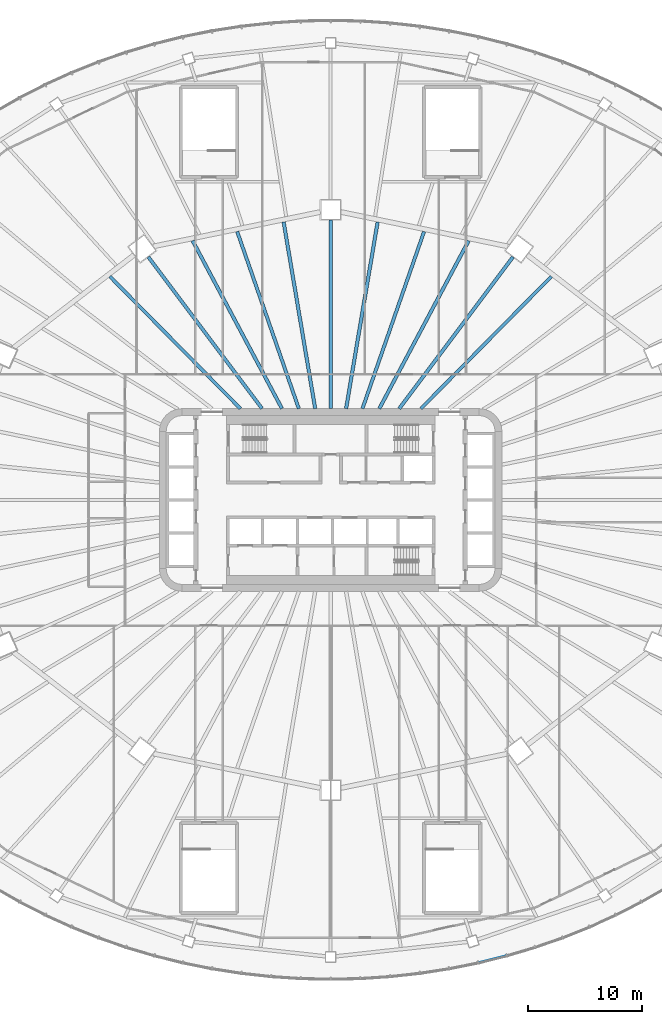
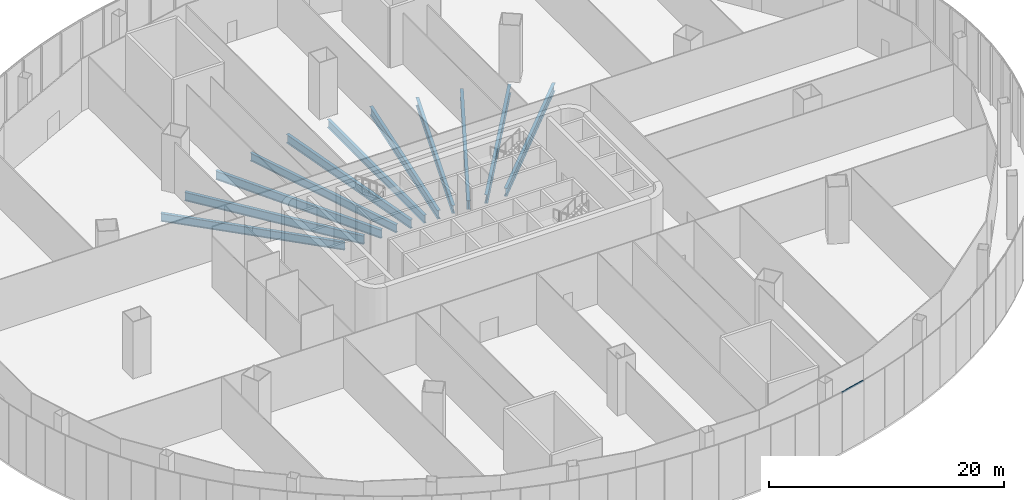
# One storey, part 8 of 33: 11 beams, 1 member, 1 element without a shape of its own.
"""IFC4 building model written with IfcOpenShell, lengths in metres."""

from ifc_helpers import new_model, si_unit, direction, frame, origin, origin_2d, place, context, subcontext, project, spatial, rectangle, i_section, extrude, material, layer, layer_set, material_profile, profile_set, type_object, element, aggregate, save


model = new_model("IFC4")

# Units and contexts
model_context = context("Model", 3, precision=1e-05, world=origin(), true_north=direction((0.0, 1.0)))
body_context = subcontext(model_context, "Body", "Model", "MODEL_VIEW")
ifc_project = project(units=[si_unit("LENGTHUNIT", "METRE"), si_unit("AREAUNIT", "SQUARE_METRE"), si_unit("VOLUMEUNIT", "CUBIC_METRE"), si_unit("PLANEANGLEUNIT", "RADIAN"), si_unit("MASSUNIT", "GRAM", prefix="KILO")], contexts=[model_context])

# Site, building, storey
site_placement = place(None, origin())
site = spatial("IfcSite", under=ifc_project, at=site_placement, CompositionType="ELEMENT")
building_placement = place(site_placement, origin())
building = spatial("IfcBuilding", under=site, at=building_placement, Name="Sahrelin Media Tower", CompositionType="ELEMENT")
storey_placement = place(building_placement, frame((0.0, 0.0, 37.39990234375)))
storey = spatial("IfcBuildingStorey", under=building, at=storey_placement, Name="L05", CompositionType="ELEMENT", Elevation=37.39990234375)

# Beams
ifc_material_1 = material(Name="Steel S355", Category="steel")
ifc_material_profile_1 = material_profile(ifc_material_1, i_section(OverallWidth=0.291748046875, OverallDepth=0.8349609375, WebThickness=0.013916015625, FlangeThickness=0.018798828125, FilletRadius=0.017822265625, at=origin_2d()), Name="UB 838x292x176")
ifc_profile_set_1 = profile_set([ifc_material_profile_1], Name="Steel S355")
beam_type_1 = type_object("IfcBeamType", Name="Radial primary beam PB10", PredefinedType="BEAM", material=ifc_profile_set_1)
beam_1_placement = place(storey_placement, frame((2.784912109375, 8.0, -0.617431640625), z_axis=(0.328776215552, 0.944407856854, 0.0), x_axis=(-0.944407856854, 0.328776215552, 0.0)))
element("IfcBeam", 1, at=beam_1_placement, inside=storey, type_object=beam_type_1, Name="Radial beam L05-06", PredefinedType="BEAM", context=body_context, shape_type="SweptSolid", body=[
    extrude(i_section(OverallWidth=0.291748046875, OverallDepth=0.8349609375, WebThickness=0.013916015625, FlangeThickness=0.018798828125, FilletRadius=0.017822265625, at=origin_2d()), origin(), (0.0, 0.0, 1.0), 16.41162109375),
])
beam_2_placement = place(storey_placement, frame((0.0, 8.0, -0.617431640625), z_axis=(0.0, 1.0, 0.0), x_axis=(-1.0, 0.0, 0.0)))
element("IfcBeam", 2, at=beam_2_placement, inside=storey, type_object=beam_type_1, Name="Radial beam L05-07", PredefinedType="BEAM", context=body_context, shape_type="SweptSolid", body=[
    extrude(i_section(OverallWidth=0.291748046875, OverallDepth=0.8349609375, WebThickness=0.013916015625, FlangeThickness=0.018798828125, FilletRadius=0.017822265625, at=origin_2d()), origin(), (0.0, 0.0, 1.0), 16.5),
])
beam_3_placement = place(storey_placement, frame((-2.784912109375, 8.0, -0.617431640625), z_axis=(-0.328776215552, 0.944407856854, 0.0), x_axis=(-0.944407856854, -0.328776215552, 0.0)))
element("IfcBeam", 3, at=beam_3_placement, inside=storey, type_object=beam_type_1, Name="Radial beam L05-08", PredefinedType="BEAM", context=body_context, shape_type="SweptSolid", body=[
    extrude(i_section(OverallWidth=0.291748046875, OverallDepth=0.8349609375, WebThickness=0.013916015625, FlangeThickness=0.018798828125, FilletRadius=0.017822265625, at=origin_2d()), origin(), (0.0, 0.0, 1.0), 16.41162109375),
])
ifc_material_profile_2 = material_profile(ifc_material_1, i_section(OverallWidth=0.30322265625, OverallDepth=0.903076171875, WebThickness=0.01513671875, FlangeThickness=0.020263671875, FilletRadius=0.01904296875, at=origin_2d()), Name="UB 914x305x201")
ifc_profile_set_2 = profile_set([ifc_material_profile_2], Name="Steel S355")
beam_type_2 = type_object("IfcBeamType", Name="Radial primary beam PB11", PredefinedType="BEAM", material=ifc_profile_set_2)
for number, where, z_axis, x_axis, name in (
    (4, (6.000732421875, 8.0, -0.6513671875), (0.600054130443, 0.799959399306, 0.0), (-0.799959399306, 0.600054130443, 0.0), "Radial beam L05-05"),
    (5, (-6.000732421875, 8.0, -0.6513671875), (-0.600054130443, 0.799959399306, 0.0), (-0.799959399306, -0.600054130443, 0.0), "Radial beam L05-09"),
):
    element("IfcBeam", number, at=place(storey_placement, frame(where, z_axis=z_axis, x_axis=x_axis)), inside=storey, type_object=beam_type_2, Name=name, PredefinedType="BEAM", context=body_context, shape_type="SweptSolid", body=[
        extrude(i_section(OverallWidth=0.30322265625, OverallDepth=0.903076171875, WebThickness=0.01513671875, FlangeThickness=0.020263671875, FilletRadius=0.01904296875, at=origin_2d()), origin(), (0.0, 0.0, 1.0), 16.59716796875),
    ])
ifc_material_profile_3 = material_profile(ifc_material_1, i_section(OverallWidth=0.291748046875, OverallDepth=0.8349609375, WebThickness=0.013916015625, FlangeThickness=0.018798828125, FilletRadius=0.017822265625, at=origin_2d()), Name="UB 838x292x176")
ifc_profile_set_3 = profile_set([ifc_material_profile_3], Name="Steel S355")
beam_type_3 = type_object("IfcBeamType", Name="Radial secondary beam SB10", PredefinedType="BEAM", material=ifc_profile_set_3)
for number, where, z_axis, x_axis, name in (
    (6, (7.901123046875, 8.0, -0.617431640625), (0.702706329063, 0.711480017355, 0.0), (-0.711480017355, 0.702706329063, 0.0), "Secondary beam L05-04"),
    (7, (-7.901123046875, 8.0, -0.617431640625), (-0.702706329063, 0.711480017355, 0.0), (-0.711480017355, -0.702706329063, 0.0), "Secondary beam L05-09"),
):
    element("IfcBeam", number, at=place(storey_placement, frame(where, z_axis=z_axis, x_axis=x_axis)), inside=storey, type_object=beam_type_3, Name=name, PredefinedType="BEAM", context=body_context, shape_type="SweptSolid", body=[
        extrude(i_section(OverallWidth=0.291748046875, OverallDepth=0.8349609375, WebThickness=0.013916015625, FlangeThickness=0.018798828125, FilletRadius=0.017822265625, at=origin_2d()), origin(), (0.0, 0.0, 1.0), 16.250732421875),
    ])
ifc_material_profile_4 = material_profile(ifc_material_1, i_section(OverallWidth=0.30322265625, OverallDepth=0.903076171875, WebThickness=0.01513671875, FlangeThickness=0.020263671875, FilletRadius=0.01904296875, at=origin_2d()), Name="UB 914x305x201")
ifc_profile_set_4 = profile_set([ifc_material_profile_4], Name="Steel S355")
beam_type_4 = type_object("IfcBeamType", Name="Radial secondary beam SB11", PredefinedType="BEAM", material=ifc_profile_set_4)
beam_4_placement = place(storey_placement, frame((4.259765625, 8.0, -0.6513671875), z_axis=(0.469997453325, 0.882667770947, 0.0), x_axis=(-0.882667770947, 0.469997453325, 0.0)))
element("IfcBeam", 8, at=beam_4_placement, inside=storey, type_object=beam_type_4, Name="Secondary beam L05-05", PredefinedType="BEAM", context=body_context, shape_type="SweptSolid", body=[
    extrude(i_section(OverallWidth=0.30322265625, OverallDepth=0.903076171875, WebThickness=0.01513671875, FlangeThickness=0.020263671875, FilletRadius=0.01904296875, at=origin_2d()), origin(), (0.0, 0.0, 1.0), 16.6474609375),
])
for number, where, z_axis, x_axis, name in (
    (9, (1.352783203125, 8.0, -0.6513671875), (0.166704262426, 0.986006941603, 0.0), (-0.986006941603, 0.166704262426, 0.0), "Secondary beam L05-06"),
    (10, (-1.352783203125, 8.0, -0.6513671875), (-0.166704262426, 0.986006941603, 0.0), (-0.986006941603, -0.166704262426, 0.0), "Secondary beam L05-07"),
):
    element("IfcBeam", number, at=place(storey_placement, frame(where, z_axis=z_axis, x_axis=x_axis)), inside=storey, type_object=beam_type_4, Name=name, PredefinedType="BEAM", context=body_context, shape_type="SweptSolid", body=[
        extrude(i_section(OverallWidth=0.30322265625, OverallDepth=0.903076171875, WebThickness=0.01513671875, FlangeThickness=0.020263671875, FilletRadius=0.01904296875, at=origin_2d()), origin(), (0.0, 0.0, 1.0), 16.569580078125),
    ])
beam_5_placement = place(storey_placement, frame((-4.259765625, 8.0, -0.6513671875), z_axis=(-0.469997453325, 0.882667770947, 0.0), x_axis=(-0.882667770947, -0.469997453325, 0.0)))
element("IfcBeam", 11, at=beam_5_placement, inside=storey, type_object=beam_type_4, Name="Secondary beam L05-08", PredefinedType="BEAM", context=body_context, shape_type="SweptSolid", body=[
    extrude(i_section(OverallWidth=0.30322265625, OverallDepth=0.903076171875, WebThickness=0.01513671875, FlangeThickness=0.020263671875, FilletRadius=0.01904296875, at=origin_2d()), origin(), (0.0, 0.0, 1.0), 16.6474609375),
])

# Curtain wall, member
ifc_material_2 = material(Name="Champagne anodised aluminium 6063-T6", Category="aluminium")
ifc_layer = layer(ifc_material_2, 0.14990234375)
ifc_layer_set = layer_set([ifc_layer], Name="Podium ribbon curtain wall")
curtain_wall_type = type_object("IfcCurtainWallType", Name="Podium ribbon curtain wall", PredefinedType="NOTDEFINED", material=ifc_layer_set)
curtain_wall_placement = place(storey_placement, frame((12.94091796875, -40.56884765625, 0.0), z_axis=(0.0, 0.0, 1.0), x_axis=(1.0, 0.0, 0.0)))
curtain_wall = element("IfcCurtainWall", 12, at=curtain_wall_placement, inside=storey, type_object=curtain_wall_type, Name="L05:CW:L05-P19", PredefinedType="NOTDEFINED")
ifc_material_profile_5 = material_profile(ifc_material_2, rectangle(XDim=0.06005859375, YDim=0.14990234375, at=origin_2d()), Name="Transom 60x150")
ifc_profile_set_5 = profile_set([ifc_material_profile_5], Name="Champagne anodised aluminium 6063-T6")
member_type = type_object("IfcMemberType", Name="Transom 60x150 CW5", PredefinedType="USERDEFINED", material=ifc_profile_set_5)
member_placement = place(storey_placement, frame((12.977294921875, -40.50830078125, 6.175048828125), z_axis=(0.970424936956, 0.241403069023, 0.0), x_axis=(-0.241403069023, 0.970424936956, 0.0)))
member = element("IfcMember", 13, at=member_placement, type_object=member_type, Name="L05:CWT1a:L05-P19", ObjectType="TRANSOM", PredefinedType="USERDEFINED", context=body_context, shape_type="SweptSolid", body=[
    extrude(rectangle(XDim=0.06005859375, YDim=0.14990234375, at=origin_2d()), origin(), (0.0, 0.0, 1.0), 2.536376953125),
])
aggregate(curtain_wall, [member])

save(model, "model.ifc")
